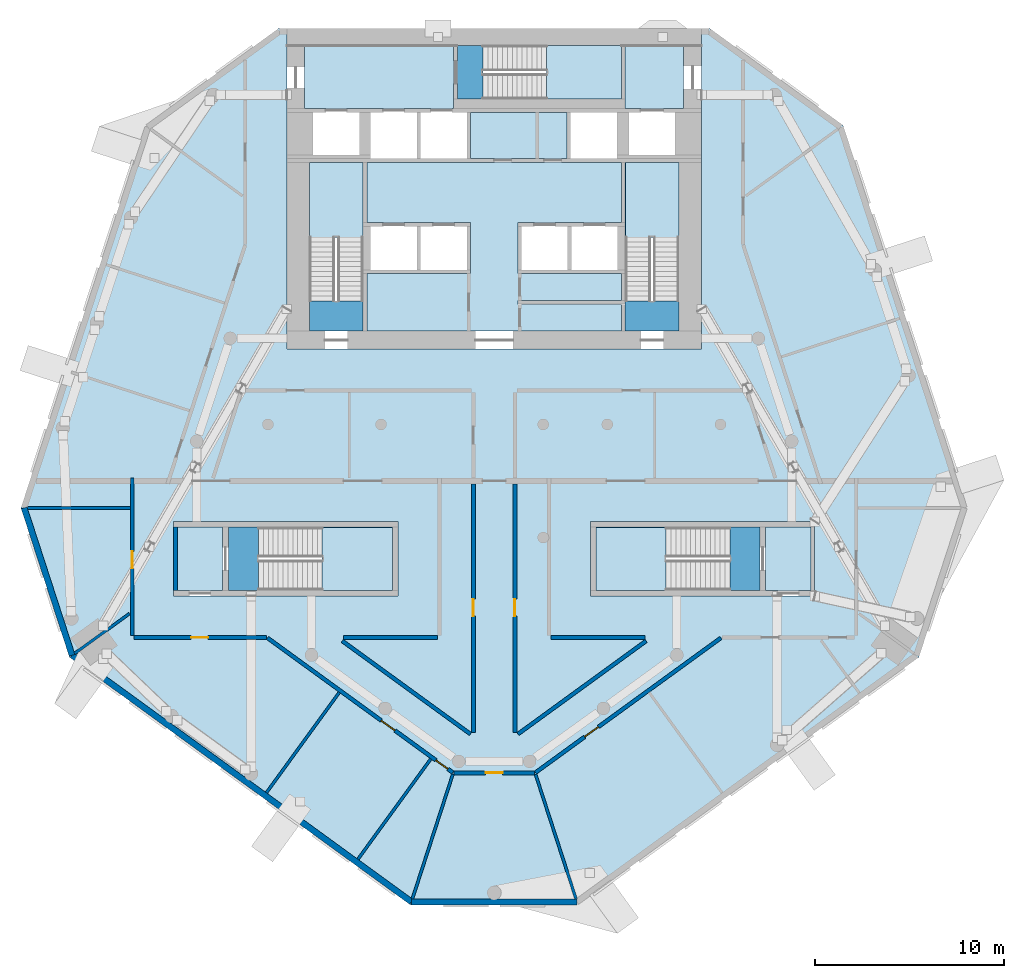
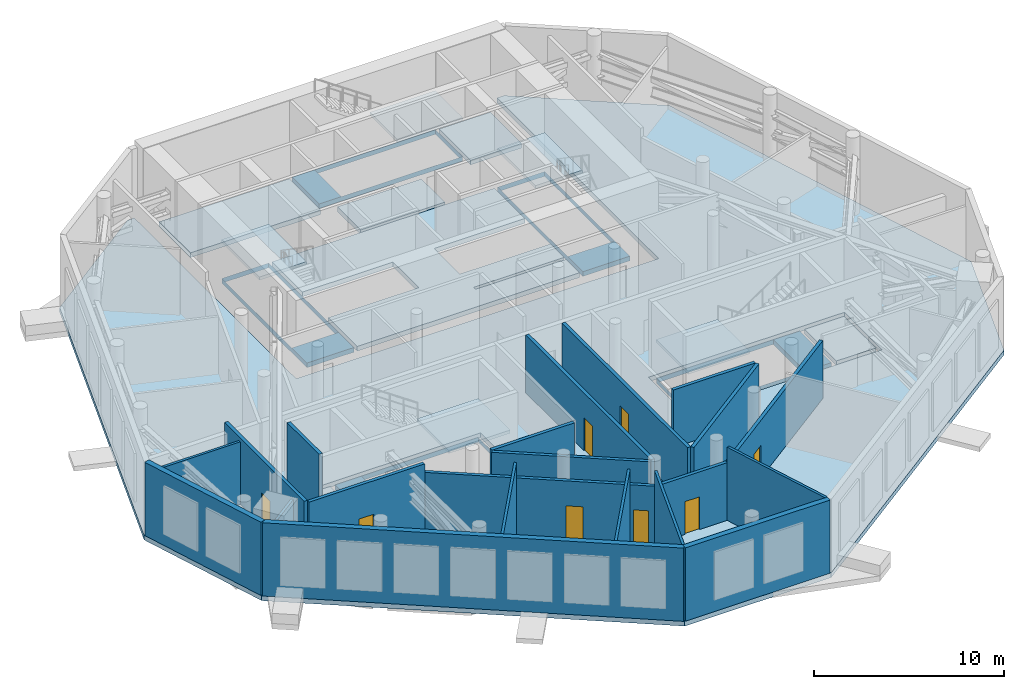
# One storey, part 8 of 17: 21 walls, 17 slabs, 8 doors, 8 openings, 5 elements without a shape of their own.
"""IFC4 building model written with IfcOpenShell, lengths in metres."""

import ifcopenshell
import ifcopenshell.guid

model = None  # the IFC model being written
_history = None  # IfcOwnerHistory: only IFC2X3 demands one
_inside = {}  # id of a spatial element -> (the spatial element, [elements in it])
_under = {}  # id of a project, library or spatial element -> (it, [spatial elements below it])
_declared = {}  # id of a project -> (the project, [libraries it declares])
_typed = {}  # id of a type object -> (the type object, [elements of that type])
_made_of = {}  # id of a material, layer set ... -> (it, [elements and type objects made of it])


def new_model(schema):
    """Start an empty IFC model of exactly this schema.

    Asked for "IFC4X3", IfcOpenShell would pick the latest addendum, in which some entities
    have other attributes; the version numbers below select the first issue.
    IFC2X3 requires an IfcOwnerHistory on every rooted entity: one is made here for all.
    """
    global model, _history
    if schema == "IFC4X3":
        model = ifcopenshell.file(schema_version=(4, 3, 0, 0))
    else:
        model = ifcopenshell.file(schema=schema)
    _inside.clear()
    _under.clear()
    _declared.clear()
    _typed.clear()
    _made_of.clear()
    _history = None
    if model.schema == "IFC2X3":
        org = make("IfcOrganization", Name="unknown")
        user = make(
            "IfcPersonAndOrganization",
            ThePerson=make("IfcPerson", FamilyName="unknown"),
            TheOrganization=org,
        )
        app = make(
            "IfcApplication",
            ApplicationDeveloper=org,
            Version="unknown",
            ApplicationFullName="unknown",
            ApplicationIdentifier="unknown",
        )
        _history = make(
            "IfcOwnerHistory",
            OwningUser=user,
            OwningApplication=app,
            ChangeAction="ADDED",
            CreationDate=0,
        )
    return model


def make(cls, **values):
    """One entity of the class cls with the attributes given. An attribute that is None is left unset."""
    return model.create_entity(
        cls, **{name: value for name, value in values.items() if value is not None}
    )


def rooted(cls, **values):
    """An entity with a GlobalId (a new one), such as an element, a storey or a relation."""
    return make(cls, GlobalId=ifcopenshell.guid.new(), OwnerHistory=_history, **values)


def si_unit(unit_type, name, prefix=None):
    """IfcSIUnit, for example si_unit("LENGTHUNIT", "METRE", prefix="MILLI")."""
    return make("IfcSIUnit", UnitType=unit_type, Prefix=prefix, Name=name)


def assignment(units):
    """IfcUnitAssignment: the units of a project."""
    return None if units is None else make("IfcUnitAssignment", Units=units)


def point(xyz):
    """IfcCartesianPoint."""
    return None if xyz is None else make("IfcCartesianPoint", Coordinates=xyz)


def direction(xyz):
    """IfcDirection."""
    return None if xyz is None else make("IfcDirection", DirectionRatios=xyz)


def frame(location, z_axis=None, x_axis=None):
    """IfcAxis2Placement3D, a coordinate frame: its origin and axes. An axis left out is left unset."""
    return make(
        "IfcAxis2Placement3D",
        Location=point(location),
        Axis=direction(z_axis),
        RefDirection=direction(x_axis),
    )


def frame_2d(location, x_axis=None):
    """IfcAxis2Placement2D, a coordinate frame in the plane: its origin and x axis."""
    return make(
        "IfcAxis2Placement2D", Location=point(location), RefDirection=direction(x_axis)
    )


def origin():
    """The frame at (0, 0, 0) with its axes left unset."""
    return frame((0.0, 0.0, 0.0))


def place(relative_to, where):
    """IfcLocalPlacement: puts the frame where relative to a parent placement (None: the world)."""
    return make(
        "IfcLocalPlacement", PlacementRelTo=relative_to, RelativePlacement=where
    )


def context(
    kind, dimensions, precision=None, world=None, true_north=None, identifier=None
):
    """IfcGeometricRepresentationContext, for example the 3D "Model" context."""
    return make(
        "IfcGeometricRepresentationContext",
        ContextIdentifier=identifier,
        ContextType=kind,
        CoordinateSpaceDimension=dimensions,
        Precision=precision,
        WorldCoordinateSystem=world,
        TrueNorth=true_north,
    )


def subcontext(parent, identifier, kind, view, scale=None):
    """IfcGeometricRepresentationSubContext, for example "Body" below "Model"."""
    return make(
        "IfcGeometricRepresentationSubContext",
        ContextIdentifier=identifier,
        ContextType=kind,
        ParentContext=parent,
        TargetScale=scale,
        TargetView=view,
    )


def project(units=None, contexts=None):
    """IfcProject with its units and contexts."""
    return rooted(
        "IfcProject",
        Name="project",
        RepresentationContexts=contexts,
        UnitsInContext=assignment(units),
    )


def spatial(cls, under=None, at=None, **own):
    """A site, building, storey or space (cls), placed at a placement, below another one or the project."""
    s = rooted(cls, ObjectPlacement=at, **own)
    if under is not None:
        _under.setdefault(under.id(), (under, []))[1].append(s)
    return s


def polyline(points):
    """IfcPolyline through the points."""
    return make("IfcPolyline", Points=[point(p) for p in points])


def profile(cls, at=None, kind="AREA", **sizes):
    """A parametric profile (cls). Its sizes go by their IFC names, for example OverallWidth=200.0."""
    return make(cls, ProfileType=kind, Position=at, **sizes)


def rectangle(**sizes):
    """IfcRectangleProfileDef."""
    return profile("IfcRectangleProfileDef", **sizes)


def outline(outer, holes=None, kind="AREA"):
    """IfcArbitraryClosedProfileDef: a profile drawn as a closed curve; with holes, ...WithVoids."""
    if holes is None:
        return make("IfcArbitraryClosedProfileDef", ProfileType=kind, OuterCurve=outer)
    return make(
        "IfcArbitraryProfileDefWithVoids",
        ProfileType=kind,
        OuterCurve=outer,
        InnerCurves=holes,
    )


def extrude(swept, where, along, depth):
    """IfcExtrudedAreaSolid: the profile swept, set in the frame where, extruded along a direction by depth."""
    return make(
        "IfcExtrudedAreaSolid",
        SweptArea=swept,
        Position=where,
        ExtrudedDirection=direction(along),
        Depth=depth,
    )


def shape(context_of_items, identifier, shape_type, items):
    """IfcShapeRepresentation: the items that make up one representation, for example the "Body"."""
    return make(
        "IfcShapeRepresentation",
        ContextOfItems=context_of_items,
        RepresentationIdentifier=identifier,
        RepresentationType=shape_type,
        Items=items,
    )


def material(Name=None, Category=None):
    """IfcMaterial."""
    return make("IfcMaterial", Name=Name, Category=Category)


def layer(
    of_material, thickness, ventilated=None, Name=None, Category=None, Priority=None
):
    """IfcMaterialLayer: one layer of a wall or slab, of a material (None: an air gap)."""
    return make(
        "IfcMaterialLayer",
        Material=of_material,
        LayerThickness=thickness,
        IsVentilated=ventilated,
        Name=Name,
        Category=Category,
        Priority=Priority,
    )


def layer_set(layers, Name=None):
    """IfcMaterialLayerSet."""
    return make("IfcMaterialLayerSet", MaterialLayers=layers, LayerSetName=Name)


def made_of(thing, what):
    """Note that an element or type object is made of a material, layer set ...; save() writes the relation."""
    if what is not None:
        _made_of.setdefault(what.id(), (what, []))[1].append(thing)
    return thing


def type_object(cls, material=None, **own):
    """A type object (cls), such as IfcWallType, which elements share."""
    return made_of(rooted(cls, **own), material)


def element(
    cls,
    number,
    at=None,
    inside=None,
    cuts=None,
    type_object=None,
    material=None,
    context=None,
    identifier="Body",
    shape_type=None,
    held_by="IfcProductDefinitionShape",
    body=None,
    shapes=None,
    **own,
):
    """One element of the class cls, such as IfcWall. Its Tag is "e" and its number.

    at: its placement. inside: the storey or other place that contains it. cuts: it is an
    opening in that element (IfcRelVoidsElement). A single representation is given by context,
    identifier, shape_type and body (its items); several are given by shapes. held_by: the class
    of the entity that holds the representations. save() writes the other relations.
    """
    e = rooted(cls, Tag="e%d" % number, ObjectPlacement=at, **own)
    if body is not None:
        shapes = [shape(context, identifier, shape_type, body)]
    if shapes is not None:
        e.Representation = make(held_by, Representations=shapes)
    if inside is not None:
        _inside.setdefault(inside.id(), (inside, []))[1].append(e)
    if cuts is not None:
        rooted(
            "IfcRelVoidsElement", RelatingBuildingElement=cuts, RelatedOpeningElement=e
        )
    if type_object is not None:
        _typed.setdefault(type_object.id(), (type_object, []))[1].append(e)
    return made_of(e, material)


def fill(opening, filler):
    """IfcRelFillsElement: the door or window that sits in an opening."""
    return rooted(
        "IfcRelFillsElement",
        RelatingOpeningElement=opening,
        RelatedBuildingElement=filler,
    )


def aggregate(whole, parts):
    """IfcRelAggregates: a whole, such as a stair, and the parts it consists of."""
    return rooted("IfcRelAggregates", RelatingObject=whole, RelatedObjects=parts)


def save(model, path):
    """Write the relations noted so far, then the file.

    IfcRelAggregates (storeys below a building ...), IfcRelContainedInSpatialStructure (elements
    in a storey), IfcRelDefinesByType, IfcRelAssociatesMaterial and IfcRelDeclares: one each for
    every whole, place, type object, material and project.
    """
    for whole, parts in _under.values():
        aggregate(whole, parts)
    for where, things in _inside.values():
        rooted(
            "IfcRelContainedInSpatialStructure",
            RelatedElements=things,
            RelatingStructure=where,
        )
    for kind, things in _typed.values():
        rooted("IfcRelDefinesByType", RelatedObjects=things, RelatingType=kind)
    for what, things in _made_of.values():
        rooted("IfcRelAssociatesMaterial", RelatedObjects=things, RelatingMaterial=what)
    for by, libraries in _declared.values():
        rooted("IfcRelDeclares", RelatingContext=by, RelatedDefinitions=libraries)
    model.write(path)


model = new_model("IFC4")

# Units and contexts
model_context = context("Model", 3, precision=1e-05, world=origin(), true_north=direction((0.0, 1.0)))
body_context = subcontext(model_context, "Body", "Model", "MODEL_VIEW")
ifc_project = project(units=[si_unit("LENGTHUNIT", "METRE"), si_unit("AREAUNIT", "SQUARE_METRE"), si_unit("VOLUMEUNIT", "CUBIC_METRE"), si_unit("PLANEANGLEUNIT", "RADIAN"), si_unit("MASSUNIT", "GRAM", prefix="KILO")], contexts=[model_context])

# Site, building, storey
site_placement = place(None, origin())
site = spatial("IfcSite", under=ifc_project, at=site_placement, CompositionType="ELEMENT")
building_placement = place(site_placement, origin())
building = spatial("IfcBuilding", under=site, at=building_placement, Name="White Candle Pilgrim Tower", CompositionType="ELEMENT")
storey_placement = place(building_placement, frame((0.0, 0.0, 191.5)))
storey = spatial("IfcBuildingStorey", under=building, at=storey_placement, Name="L44", CompositionType="ELEMENT", Elevation=191.5)

# Slabs
ifc_material_1 = material(Name="Concrete C40/50", Category="concrete")
ifc_layer_1 = layer(ifc_material_1, 0.300048828125)
ifc_layer_set_1 = layer_set([ifc_layer_1], Name="Core floor slab 300 mm Concrete C40/50")
slab_type_1 = type_object("IfcSlabType", Name="Core floor slab 300 mm Concrete C40/50", PredefinedType="FLOOR", material=ifc_layer_set_1)
slab_1_placement = place(storey_placement, frame((0.0, 0.0, -0.300048828125)))
element("IfcSlab", 1, at=slab_1_placement, inside=storey, type_object=slab_type_1, Name="CF-L44-01", PredefinedType="FLOOR", context=body_context, shape_type="SweptSolid", body=[
    extrude(outline(polyline([(55.60009765625, 58.199951171875), (53.199951171875, 58.199951171875), (53.199951171875, 61.550048828125), (55.60009765625, 61.550048828125), (55.60009765625, 58.199951171875)])), origin(), (0.0, 0.0, 1.0), 0.300048828125),
])
slab_2_placement = place(storey_placement, frame((0.0, 0.0, -0.300048828125)))
element("IfcSlab", 2, at=slab_2_placement, inside=storey, type_object=slab_type_1, Name="CF-L44-02", PredefinedType="FLOOR", context=body_context, shape_type="SweptSolid", body=[
    extrude(outline(polyline([(55.89990234375, 58.199951171875), (55.89990234375, 61.550048828125), (64.60009765625, 61.550048828125), (64.60009765625, 58.199951171875), (55.89990234375, 58.199951171875)]), holes=[polyline([(57.501953125, 61.548095703125), (57.501953125, 58.201904296875), (64.597900390625, 58.201904296875), (64.597900390625, 61.548095703125), (57.501953125, 61.548095703125)])]), origin(), (0.0, 0.0, 1.0), 0.300048828125),
])
slab_3_placement = place(storey_placement, frame((0.0, 0.0, -0.300048828125)))
element("IfcSlab", 3, at=slab_3_placement, inside=storey, type_object=slab_type_1, Name="CF-L44-03", PredefinedType="FLOOR", context=body_context, shape_type="SweptSolid", body=[
    extrude(outline(polyline([(75.39990234375, 58.199951171875), (75.39990234375, 61.550048828125), (84.10009765625, 61.550048828125), (84.10009765625, 58.199951171875), (75.39990234375, 58.199951171875)]), holes=[polyline([(82.498046875, 58.201904296875), (82.498046875, 61.548095703125), (75.402099609375, 61.548095703125), (75.402099609375, 58.201904296875), (82.498046875, 58.201904296875)])]), origin(), (0.0, 0.0, 1.0), 0.300048828125),
])
slab_4_placement = place(storey_placement, frame((0.0, 0.0, -0.300048828125)))
element("IfcSlab", 4, at=slab_4_placement, inside=storey, type_object=slab_type_1, Name="CF-L44-04", PredefinedType="FLOOR", context=body_context, shape_type="SweptSolid", body=[
    extrude(outline(polyline([(86.800048828125, 58.199951171875), (84.39990234375, 58.199951171875), (84.39990234375, 61.550048828125), (86.800048828125, 61.550048828125), (86.800048828125, 58.199951171875)])), origin(), (0.0, 0.0, 1.0), 0.300048828125),
])
slab_5_placement = place(storey_placement, frame((0.0, 0.0, -0.300048828125)))
element("IfcSlab", 5, at=slab_5_placement, inside=storey, type_object=slab_type_1, Name="CF-L44-05", PredefinedType="FLOOR", context=body_context, shape_type="SweptSolid", body=[
    extrude(outline(polyline([(76.75, 87.10009765625), (76.75, 87.050048828125), (76.75, 84.25), (68.050048828125, 84.25), (68.050048828125, 87.050048828125), (68.050048828125, 87.10009765625), (76.75, 87.10009765625)]), holes=[polyline([(69.402099609375, 87.097900390625), (69.402099609375, 84.251953125), (76.748046875, 84.251953125), (76.748046875, 87.097900390625), (69.402099609375, 87.097900390625)])]), origin(), (0.0, 0.0, 1.0), 0.300048828125),
])
slab_6_placement = place(storey_placement, frame((0.0, 0.0, -0.300048828125)))
element("IfcSlab", 6, at=slab_6_placement, inside=storey, type_object=slab_type_1, Name="CF-L44-06", PredefinedType="FLOOR", context=body_context, shape_type="SweptSolid", body=[
    extrude(outline(polyline([(80.050048828125, 87.050048828125), (80.050048828125, 83.75), (76.949951171875, 83.75), (76.949951171875, 84.25), (76.949951171875, 87.050048828125), (80.050048828125, 87.050048828125)])), origin(), (0.0, 0.0, 1.0), 0.300048828125),
])
slab_7_placement = place(storey_placement, frame((0.0, 0.0, -0.300048828125)))
element("IfcSlab", 7, at=slab_7_placement, inside=storey, type_object=slab_type_1, Name="CF-L44-07", PredefinedType="FLOOR", context=body_context, shape_type="SweptSolid", body=[
    extrude(outline(polyline([(76.949951171875, 71.949951171875), (76.949951171875, 73.375), (76.949951171875, 73.574951171875), (76.949951171875, 75.0), (76.949951171875, 75.199951171875), (76.949951171875, 77.5), (76.949951171875, 77.699951171875), (76.949951171875, 80.89990234375), (79.800048828125, 80.89990234375), (79.800048828125, 71.949951171875), (76.949951171875, 71.949951171875)]), holes=[polyline([(76.951904296875, 73.552001953125), (79.798095703125, 73.552001953125), (79.798095703125, 80.89794921875), (76.951904296875, 80.89794921875), (76.951904296875, 73.552001953125)])]), origin(), (0.0, 0.0, 1.0), 0.300048828125),
])
slab_8_placement = place(storey_placement, frame((0.0, 0.0, -0.300048828125)))
element("IfcSlab", 8, at=slab_8_placement, inside=storey, type_object=slab_type_1, Name="CF-L44-08", PredefinedType="FLOOR", context=body_context, shape_type="SweptSolid", body=[
    extrude(outline(polyline([(63.25, 71.949951171875), (63.25, 75.0), (68.75, 75.0), (68.75, 75.199951171875), (68.75, 77.5), (68.75, 77.699951171875), (63.25, 77.699951171875), (63.25, 80.89990234375), (76.75, 80.89990234375), (76.75, 77.699951171875), (71.25, 77.699951171875), (71.25, 77.5), (71.25, 75.199951171875), (71.25, 75.0), (76.75, 75.0), (76.75, 73.574951171875), (71.25, 73.574951171875), (71.25, 73.375), (76.75, 73.375), (76.75, 71.949951171875), (63.25, 71.949951171875)])), origin(), (0.0, 0.0, 1.0), 0.300048828125),
])
slab_9_placement = place(storey_placement, frame((0.0, 0.0, -0.300048828125)))
element("IfcSlab", 9, at=slab_9_placement, inside=storey, type_object=slab_type_1, Name="CF-L44-09", PredefinedType="FLOOR", context=body_context, shape_type="SweptSolid", body=[
    extrude(outline(polyline([(60.199951171875, 71.949951171875), (60.199951171875, 80.89990234375), (63.050048828125, 80.89990234375), (63.050048828125, 77.699951171875), (63.050048828125, 77.5), (63.050048828125, 75.199951171875), (63.050048828125, 75.0), (63.050048828125, 71.949951171875), (60.199951171875, 71.949951171875)]), holes=[polyline([(60.201904296875, 73.552001953125), (63.048095703125, 73.552001953125), (63.048095703125, 80.89794921875), (60.201904296875, 80.89794921875), (60.201904296875, 73.552001953125)])]), origin(), (0.0, 0.0, 1.0), 0.300048828125),
])
slab_10_placement = place(storey_placement, frame((0.0, 0.0, -0.300048828125)))
element("IfcSlab", 10, at=slab_10_placement, inside=storey, type_object=slab_type_1, Name="CF-L44-10", PredefinedType="FLOOR", context=body_context, shape_type="SweptSolid", body=[
    extrude(outline(polyline([(59.949951171875, 87.050048828125), (67.85009765625, 87.050048828125), (67.85009765625, 84.25), (67.85009765625, 83.75), (59.949951171875, 83.75), (59.949951171875, 87.050048828125)])), origin(), (0.0, 0.0, 1.0), 0.300048828125),
])
slab_11_placement = place(storey_placement, frame((0.0, 0.0, -0.300048828125)))
element("IfcSlab", 11, at=slab_11_placement, inside=storey, type_object=slab_type_1, Name="CF-L44-11", PredefinedType="FLOOR", context=body_context, shape_type="SweptSolid", body=[
    extrude(outline(polyline([(73.85009765625, 83.550048828125), (73.85009765625, 81.10009765625), (68.75, 81.10009765625), (68.75, 83.550048828125), (73.85009765625, 83.550048828125)])), origin(), (0.0, 0.0, 1.0), 0.300048828125),
])
ifc_layer_2 = layer(ifc_material_1, 0.300048828125)
ifc_layer_set_2 = layer_set([ifc_layer_2], Name="Floor slab 300 REI 240")
slab_type_2 = type_object("IfcSlabType", Name="Floor slab 300 REI 240", PredefinedType="FLOOR", material=ifc_layer_set_2)
slab_12_placement = place(storey_placement, frame((0.0, 0.0, -0.300048828125)))
element("IfcSlab", 12, at=slab_12_placement, inside=storey, type_object=slab_type_2, Name="L44 floor slab", PredefinedType="FLOOR", context=body_context, shape_type="SweptSolid", body=[
    extrude(outline(polyline([(65.556884765625, 41.52099609375), (74.443115234375, 41.52099609375), (92.5244140625, 54.657958984375), (95.096923828125, 62.57470703125), (88.50390625, 82.865478515625), (81.43701171875, 88.0), (81.0, 88.0), (81.0, 71.0), (59.0, 71.0), (59.0, 88.0), (58.56298828125, 88.0), (51.49609375, 82.865478515625), (44.903076171875, 62.57470703125), (47.4755859375, 54.657958984375), (65.556884765625, 41.52099609375)]), holes=[polyline([(53.0, 57.89990234375), (53.0, 61.85009765625), (64.89990234375, 61.85009765625), (64.89990234375, 57.89990234375), (53.0, 57.89990234375)]), polyline([(75.10009765625, 57.89990234375), (75.10009765625, 61.85009765625), (87.0, 61.85009765625), (87.0, 57.89990234375), (75.10009765625, 57.89990234375)])]), origin(), (0.0, 0.0, 1.0), 0.300048828125),
])

# Stair, slab
stair_type_1 = type_object("IfcStairType", Name="Exit stair 1 flight width 1350 mm", PredefinedType="HALF_TURN_STAIR", material=ifc_material_1)
stair_1_placement = place(storey_placement, origin())
stair_1 = element("IfcStair", 13, at=stair_1_placement, inside=storey, type_object=stair_type_1, Name="L44 stair 1", PredefinedType="NOTDEFINED")
ifc_layer_3 = layer(ifc_material_1, 0.199951171875)
ifc_layer_set_3 = layer_set([ifc_layer_3], Name="Stair landing Concrete C40/50")
slab_type_3 = type_object("IfcSlabType", Name="Stair landing Concrete C40/50", PredefinedType="LANDING", material=ifc_layer_set_3)
slab_13_placement = place(storey_placement, frame((0.0, 0.0, 2.300048828125)))
slab_13 = element("IfcSlab", 14, at=slab_13_placement, type_object=slab_type_3, Name="ST1 landing 1", PredefinedType="LANDING", context=body_context, shape_type="SweptSolid", body=[
    extrude(outline(polyline([(63.052001953125, 76.927978515625), (60.197998046875, 76.927978515625), (60.197998046875, 80.902099609375), (63.052001953125, 80.902099609375), (63.052001953125, 76.927978515625)])), origin(), (0.0, 0.0, 1.0), 0.199951171875),
])
aggregate(stair_1, [slab_13])

stair_type_2 = type_object("IfcStairType", Name="Exit stair 2 flight width 1350 mm", PredefinedType="HALF_TURN_STAIR", material=ifc_material_1)
stair_2_placement = place(storey_placement, origin())
stair_2 = element("IfcStair", 15, at=stair_2_placement, inside=storey, type_object=stair_type_2, Name="L44 stair 2", PredefinedType="NOTDEFINED")
slab_14_placement = place(storey_placement, frame((0.0, 0.0, 2.300048828125)))
slab_14 = element("IfcSlab", 16, at=slab_14_placement, type_object=slab_type_3, Name="ST2 landing 1", PredefinedType="LANDING", context=body_context, shape_type="SweptSolid", body=[
    extrude(outline(polyline([(79.802001953125, 76.927978515625), (76.947998046875, 76.927978515625), (76.947998046875, 80.902099609375), (79.802001953125, 80.902099609375), (79.802001953125, 76.927978515625)])), origin(), (0.0, 0.0, 1.0), 0.199951171875),
])
aggregate(stair_2, [slab_14])

stair_type_3 = type_object("IfcStairType", Name="Exit stair 3 flight width 1350 mm", PredefinedType="HALF_TURN_STAIR", material=ifc_material_1)
stair_3_placement = place(storey_placement, origin())
stair_3 = element("IfcStair", 17, at=stair_3_placement, inside=storey, type_object=stair_type_3, Name="L44 stair 3", PredefinedType="NOTDEFINED")
slab_15_placement = place(storey_placement, frame((0.0, 0.0, 2.300048828125)))
slab_15 = element("IfcSlab", 18, at=slab_15_placement, type_object=slab_type_3, Name="ST3 landing 1", PredefinedType="LANDING", context=body_context, shape_type="SweptSolid", body=[
    extrude(outline(polyline([(72.778076171875, 84.248046875), (72.778076171875, 87.10205078125), (76.751953125, 87.10205078125), (76.751953125, 84.248046875), (72.778076171875, 84.248046875)])), origin(), (0.0, 0.0, 1.0), 0.199951171875),
])
aggregate(stair_3, [slab_15])

stair_type_4 = type_object("IfcStairType", Name="Exit stair 4 flight width 1600 mm", PredefinedType="HALF_TURN_STAIR", material=ifc_material_1)
stair_4_placement = place(storey_placement, origin())
stair_4 = element("IfcStair", 19, at=stair_4_placement, inside=storey, type_object=stair_type_4, Name="L44 stair 4", PredefinedType="NOTDEFINED")
slab_16_placement = place(storey_placement, frame((0.0, 0.0, 2.300048828125)))
slab_16 = element("IfcSlab", 20, at=slab_16_placement, type_object=slab_type_3, Name="ST4 landing 1", PredefinedType="LANDING", context=body_context, shape_type="SweptSolid", body=[
    extrude(outline(polyline([(79.1220703125, 61.552001953125), (79.1220703125, 58.197998046875), (75.39794921875, 58.197998046875), (75.39794921875, 61.552001953125), (79.1220703125, 61.552001953125)])), origin(), (0.0, 0.0, 1.0), 0.199951171875),
])
aggregate(stair_4, [slab_16])

stair_type_5 = type_object("IfcStairType", Name="Exit stair 5 flight width 1600 mm", PredefinedType="HALF_TURN_STAIR", material=ifc_material_1)
stair_5_placement = place(storey_placement, origin())
stair_5 = element("IfcStair", 21, at=stair_5_placement, inside=storey, type_object=stair_type_5, Name="L44 stair 5", PredefinedType="NOTDEFINED")
slab_17_placement = place(storey_placement, frame((0.0, 0.0, 2.300048828125)))
slab_17 = element("IfcSlab", 22, at=slab_17_placement, type_object=slab_type_3, Name="ST5 landing 1", PredefinedType="LANDING", context=body_context, shape_type="SweptSolid", body=[
    extrude(outline(polyline([(60.8779296875, 58.197998046875), (60.8779296875, 61.552001953125), (64.60205078125, 61.552001953125), (64.60205078125, 58.197998046875), (60.8779296875, 58.197998046875)])), origin(), (0.0, 0.0, 1.0), 0.199951171875),
])
aggregate(stair_5, [slab_17])

# Wall
ifc_material_2 = material(Name="Concrete C60/75", Category="concrete")
ifc_layer_4 = layer(ifc_material_2, 0.199951171875)
ifc_layer_set_4 = layer_set([ifc_layer_4], Name="Core wall 200 mm Concrete C60/75")
wall_type_1 = type_object("IfcWallType", Name="Core wall 200 mm Concrete C60/75", PredefinedType="SHEAR", material=ifc_layer_set_4)
wall_1_placement = place(storey_placement, frame((53.10009765625, 58.199951171875, 0.0), z_axis=(0.0, 0.0, 1.0), x_axis=(0.0, 1.0, 0.0)))
element("IfcWall", 23, at=wall_1_placement, inside=storey, type_object=wall_type_1, Name="WL-L44-C03", PredefinedType="SHEAR", context=body_context, shape_type="SweptSolid", body=[
    extrude(rectangle(XDim=3.35009765625, YDim=0.199951171875, at=frame_2d((1.675048828125, 0.0))), origin(), (0.0, 0.0, 1.0), 5.0),
])

# Wall, opening, door
ifc_material_3 = material(Name="Gypsum board on steel studs", Category="steel")
ifc_layer_5 = layer(ifc_material_3, 0.199951171875)
ifc_layer_set_5 = layer_set([ifc_layer_5], Name="Corridor wall 200 mm EI 45")
wall_type_2 = type_object("IfcWallType", Name="Corridor wall 200 mm EI 45", PredefinedType="PARTITIONING", material=ifc_layer_set_5)
wall_2_placement = place(storey_placement, frame((82.0234375, 55.680908203125, 0.0), z_axis=(0.0, 0.0, 1.0), x_axis=(-0.809021032416, -0.587779694366, 0.0)))
wall_2 = element("IfcWall", 24, at=wall_2_placement, inside=storey, type_object=wall_type_2, Name="WL-L44-P008", PredefinedType="PARTITIONING", context=body_context, shape_type="SweptSolid", body=[
    extrude(rectangle(XDim=12.1484375, YDim=0.199951171875, at=frame_2d((6.07421875, 0.0))), origin(), (0.0, 0.0, 1.0), 3.699951171875),
])
opening_1_placement = place(wall_2_placement, frame((8.031005859375, 0.0, 0.0)))
opening_1 = element("IfcOpeningElement", 25, at=opening_1_placement, cuts=wall_2, Name="Opening L44-106", PredefinedType="OPENING", context=body_context, shape_type="SweptSolid", body=[
    extrude(rectangle(XDim=0.89990234375, YDim=2.10009765625, at=frame_2d((0.449951171875, 1.050048828125))), frame((0.0, 0.10986328125, 0.0), z_axis=(0.0, -1.0, 0.0), x_axis=(1.0, 0.0, 0.0)), (0.0, 0.0, 1.0), 0.219970703125),
])
ifc_material_4 = material(Name="Steel door leaf", Category="steel")
door_type_1 = type_object("IfcDoorType", Name="Fire door 900 x 2100 EI 30", OperationType="NOTDEFINED", PredefinedType="DOOR", material=ifc_material_4)
door_1_placement = place(opening_1_placement, origin())
door_1 = element("IfcDoor", 26, at=door_1_placement, inside=storey, type_object=door_type_1, Name="Door L44-106", OperationType="SINGLE_SWING_RIGHT", OverallHeight=2.10009765625, OverallWidth=0.89990234375, PredefinedType="DOOR", context=body_context, shape_type="SweptSolid", body=[
    extrude(rectangle(XDim=0.89990234375, YDim=2.10009765625, at=frame_2d((0.449951171875, 1.050048828125))), frame((0.0, 0.02490234375, 0.0), z_axis=(0.0, -1.0, 0.0), x_axis=(1.0, 0.0, 0.0)), (0.0, 0.0, 1.0), 0.050048828125),
])
fill(opening_1, door_1)

wall_3_placement = place(storey_placement, frame((72.13623046875, 48.52099609375, 0.0), z_axis=(0.0, 0.0, 1.0), x_axis=(-1.0, 0.0, 0.0)))
wall_3 = element("IfcWall", 27, at=wall_3_placement, inside=storey, type_object=wall_type_2, Name="WL-L44-P009", PredefinedType="PARTITIONING", context=body_context, shape_type="SweptSolid", body=[
    extrude(rectangle(XDim=4.2724609375, YDim=0.199951171875, at=frame_2d((2.13623046875, 0.0))), origin(), (0.0, 0.0, 1.0), 3.699951171875),
])
opening_2_placement = place(wall_3_placement, frame((1.686279296875, 0.0, 0.0)))
opening_2 = element("IfcOpeningElement", 28, at=opening_2_placement, cuts=wall_3, Name="Opening L44-105", PredefinedType="OPENING", context=body_context, shape_type="SweptSolid", body=[
    extrude(rectangle(XDim=0.89990234375, YDim=2.10009765625, at=frame_2d((0.449951171875, 1.050048828125))), frame((0.0, 0.10986328125, 0.0), z_axis=(0.0, -1.0, 0.0), x_axis=(1.0, 0.0, 0.0)), (0.0, 0.0, 1.0), 0.219970703125),
])
door_2_placement = place(opening_2_placement, origin())
door_2 = element("IfcDoor", 29, at=door_2_placement, inside=storey, type_object=door_type_1, Name="Door L44-105", OperationType="SINGLE_SWING_LEFT", OverallHeight=2.10009765625, OverallWidth=0.89990234375, PredefinedType="DOOR", context=body_context, shape_type="SweptSolid", body=[
    extrude(rectangle(XDim=0.89990234375, YDim=2.10009765625, at=frame_2d((0.449951171875, 1.050048828125))), frame((0.0, 0.02490234375, 0.0), z_axis=(0.0, -1.0, 0.0), x_axis=(1.0, 0.0, 0.0)), (0.0, 0.0, 1.0), 0.050048828125),
])
fill(opening_2, door_2)

# Wall, openings, doors
wall_4_placement = place(storey_placement, frame((67.804931640625, 48.540283203125, 0.0), z_axis=(0.0, 0.0, 1.0), x_axis=(-0.809021032416, 0.587779694366, 0.0)))
wall_4 = element("IfcWall", 30, at=wall_4_placement, inside=storey, type_object=wall_type_2, Name="WL-L44-P010", PredefinedType="PARTITIONING", context=body_context, shape_type="SweptSolid", body=[
    extrude(rectangle(XDim=12.1484375, YDim=0.199951171875, at=frame_2d((6.07421875, 0.0))), origin(), (0.0, 0.0, 1.0), 3.699951171875),
])
opening_3_placement = place(wall_4_placement, frame((3.79296875, 0.0, 0.0)))
opening_3 = element("IfcOpeningElement", 31, at=opening_3_placement, cuts=wall_4, Name="Opening L44-103", PredefinedType="OPENING", context=body_context, shape_type="SweptSolid", body=[
    extrude(rectangle(XDim=0.89990234375, YDim=2.10009765625, at=frame_2d((0.449951171875, 1.050048828125))), frame((0.0, 0.10986328125, 0.0), z_axis=(0.0, -1.0, 0.0), x_axis=(1.0, 0.0, 0.0)), (0.0, 0.0, 1.0), 0.219970703125),
])
opening_4_placement = place(wall_4_placement, frame((0.317626953125, 0.0, 0.0)))
opening_4 = element("IfcOpeningElement", 32, at=opening_4_placement, cuts=wall_4, Name="Opening L44-104", PredefinedType="OPENING", context=body_context, shape_type="SweptSolid", body=[
    extrude(rectangle(XDim=0.800048828125, YDim=2.10009765625, at=frame_2d((0.39990234375, 1.050048828125))), frame((0.0, 0.10986328125, 0.0), z_axis=(0.0, -1.0, 0.0), x_axis=(1.0, 0.0, 0.0)), (0.0, 0.0, 1.0), 0.219970703125),
])
door_type_2 = type_object("IfcDoorType", Name="Fire door 800 x 2100 EI 30", OperationType="NOTDEFINED", PredefinedType="DOOR", material=ifc_material_4)
door_3_placement = place(opening_4_placement, origin())
door_3 = element("IfcDoor", 33, at=door_3_placement, inside=storey, type_object=door_type_2, Name="Door L44-104", OperationType="SINGLE_SWING_RIGHT", OverallHeight=2.10009765625, OverallWidth=0.800048828125, PredefinedType="DOOR", context=body_context, shape_type="SweptSolid", body=[
    extrude(rectangle(XDim=0.800048828125, YDim=2.10009765625, at=frame_2d((0.39990234375, 1.050048828125))), frame((0.0, 0.02490234375, 0.0), z_axis=(0.0, -1.0, 0.0), x_axis=(1.0, 0.0, 0.0)), (0.0, 0.0, 1.0), 0.050048828125),
])
fill(opening_4, door_3)
door_4_placement = place(opening_3_placement, origin())
door_4 = element("IfcDoor", 34, at=door_4_placement, inside=storey, type_object=door_type_1, Name="Door L44-103", OperationType="SINGLE_SWING_LEFT", OverallHeight=2.10009765625, OverallWidth=0.89990234375, PredefinedType="DOOR", context=body_context, shape_type="SweptSolid", body=[
    extrude(rectangle(XDim=0.89990234375, YDim=2.10009765625, at=frame_2d((0.449951171875, 1.050048828125))), frame((0.0, 0.02490234375, 0.0), z_axis=(0.0, -1.0, 0.0), x_axis=(1.0, 0.0, 0.0)), (0.0, 0.0, 1.0), 0.050048828125),
])
fill(opening_3, door_4)

# Wall, opening, door
wall_5_placement = place(storey_placement, frame((57.917724609375, 55.699951171875, 0.0), z_axis=(0.0, 0.0, 1.0), x_axis=(-1.0, 0.0, 0.0)))
wall_5 = element("IfcWall", 35, at=wall_5_placement, inside=storey, type_object=wall_type_2, Name="WL-L44-P011", PredefinedType="PARTITIONING", context=body_context, shape_type="SweptSolid", body=[
    extrude(rectangle(XDim=7.017822265625, YDim=0.199951171875, at=frame_2d((3.5087890625, 0.0))), origin(), (0.0, 0.0, 1.0), 4.25),
])
opening_5_placement = place(wall_5_placement, frame((3.0927734375, 0.0, 0.0)))
opening_5 = element("IfcOpeningElement", 36, at=opening_5_placement, cuts=wall_5, Name="Opening L44-102", PredefinedType="OPENING", context=body_context, shape_type="SweptSolid", body=[
    extrude(rectangle(XDim=0.89990234375, YDim=2.10009765625, at=frame_2d((0.449951171875, 1.050048828125))), frame((0.0, 0.10986328125, 0.0), z_axis=(0.0, -1.0, 0.0), x_axis=(1.0, 0.0, 0.0)), (0.0, 0.0, 1.0), 0.219970703125),
])
door_5_placement = place(opening_5_placement, origin())
door_5 = element("IfcDoor", 37, at=door_5_placement, inside=storey, type_object=door_type_1, Name="Door L44-102", OperationType="SINGLE_SWING_RIGHT", OverallHeight=2.10009765625, OverallWidth=0.89990234375, PredefinedType="DOOR", context=body_context, shape_type="SweptSolid", body=[
    extrude(rectangle(XDim=0.89990234375, YDim=2.10009765625, at=frame_2d((0.449951171875, 1.050048828125))), frame((0.0, 0.02490234375, 0.0), z_axis=(0.0, -1.0, 0.0), x_axis=(1.0, 0.0, 0.0)), (0.0, 0.0, 1.0), 0.050048828125),
])
fill(opening_5, door_5)

wall_6_placement = place(storey_placement, frame((50.800048828125, 55.800048828125, 0.0), z_axis=(0.0, 0.0, 1.0), x_axis=(0.0, 1.0, 0.0)))
wall_6 = element("IfcWall", 38, at=wall_6_placement, inside=storey, type_object=wall_type_2, Name="WL-L44-P012", PredefinedType="PARTITIONING", context=body_context, shape_type="SweptSolid", body=[
    extrude(rectangle(XDim=8.349853515625, YDim=0.199951171875, at=frame_2d((4.1748046875, 0.0))), origin(), (0.0, 0.0, 1.0), 4.25),
])
opening_6_placement = place(wall_6_placement, frame((3.573974609375, 0.0, 0.0)))
opening_6 = element("IfcOpeningElement", 39, at=opening_6_placement, cuts=wall_6, Name="Opening L44-101", PredefinedType="OPENING", context=body_context, shape_type="SweptSolid", body=[
    extrude(rectangle(XDim=0.89990234375, YDim=2.10009765625, at=frame_2d((0.449951171875, 1.050048828125))), frame((0.0, 0.10986328125, 0.0), z_axis=(0.0, -1.0, 0.0), x_axis=(1.0, 0.0, 0.0)), (0.0, 0.0, 1.0), 0.219970703125),
])
door_6_placement = place(opening_6_placement, origin())
door_6 = element("IfcDoor", 40, at=door_6_placement, inside=storey, type_object=door_type_1, Name="Door L44-101", OperationType="SINGLE_SWING_LEFT", OverallHeight=2.10009765625, OverallWidth=0.89990234375, PredefinedType="DOOR", context=body_context, shape_type="SweptSolid", body=[
    extrude(rectangle(XDim=0.89990234375, YDim=2.10009765625, at=frame_2d((0.449951171875, 1.050048828125))), frame((0.0, 0.02490234375, 0.0), z_axis=(0.0, -1.0, 0.0), x_axis=(1.0, 0.0, 0.0)), (0.0, 0.0, 1.0), 0.050048828125),
])
fill(opening_6, door_6)

wall_7_placement = place(storey_placement, frame((71.10009765625, 63.85009765625, 0.0), z_axis=(0.0, 0.0, 1.0), x_axis=(0.0, -1.0, 0.0)))
wall_7 = element("IfcWall", 41, at=wall_7_placement, inside=storey, type_object=wall_type_2, Name="WL-L44-P016", PredefinedType="PARTITIONING", context=body_context, shape_type="SweptSolid", body=[
    extrude(rectangle(XDim=13.18994140625, YDim=0.199951171875, at=frame_2d((6.594970703125, 0.0))), origin(), (0.0, 0.0, 1.0), 3.699951171875),
])
opening_7_placement = place(wall_7_placement, frame((6.114501953125, 0.0, 0.0)))
opening_7 = element("IfcOpeningElement", 42, at=opening_7_placement, cuts=wall_7, Name="Opening L44-116", PredefinedType="OPENING", context=body_context, shape_type="SweptSolid", body=[
    extrude(rectangle(XDim=0.89990234375, YDim=2.10009765625, at=frame_2d((0.449951171875, 1.050048828125))), frame((0.0, 0.10986328125, 0.0), z_axis=(0.0, -1.0, 0.0), x_axis=(1.0, 0.0, 0.0)), (0.0, 0.0, 1.0), 0.219970703125),
])
door_7_placement = place(opening_7_placement, origin())
door_7 = element("IfcDoor", 43, at=door_7_placement, inside=storey, type_object=door_type_1, Name="Door L44-116", OperationType="SINGLE_SWING_RIGHT", OverallHeight=2.10009765625, OverallWidth=0.89990234375, PredefinedType="DOOR", context=body_context, shape_type="SweptSolid", body=[
    extrude(rectangle(XDim=0.89990234375, YDim=2.10009765625, at=frame_2d((0.449951171875, 1.050048828125))), frame((0.0, 0.02490234375, 0.0), z_axis=(0.0, -1.0, 0.0), x_axis=(1.0, 0.0, 0.0)), (0.0, 0.0, 1.0), 0.050048828125),
])
fill(opening_7, door_7)

# Walls
wall_8_placement = place(storey_placement, frame((71.2587890625, 50.579345703125, 0.0), z_axis=(0.0, 0.0, 1.0), x_axis=(0.809023664715, 0.587776071248, 0.0)))
element("IfcWall", 44, at=wall_8_placement, inside=storey, type_object=wall_type_2, Name="WL-L44-P017", PredefinedType="PARTITIONING", context=body_context, shape_type="SweptSolid", body=[
    extrude(rectangle(XDim=8.404052734375, YDim=0.199951171875, at=frame_2d((4.2021484375, 0.0))), origin(), (0.0, 0.0, 1.0), 3.699951171875),
])
wall_9_placement = place(storey_placement, frame((77.9990234375, 55.699951171875, 0.0), z_axis=(0.0, 0.0, 1.0), x_axis=(-1.0, 0.0, 0.0)))
element("IfcWall", 45, at=wall_9_placement, inside=storey, type_object=wall_type_2, Name="WL-L44-P018", PredefinedType="PARTITIONING", context=body_context, shape_type="SweptSolid", body=[
    extrude(rectangle(XDim=4.9990234375, YDim=0.199951171875, at=frame_2d((2.49951171875, 0.0))), origin(), (0.0, 0.0, 1.0), 3.699951171875),
])

# Wall, opening, door
wall_10_placement = place(storey_placement, frame((68.89990234375, 50.66015625, 0.0), z_axis=(0.0, 0.0, 1.0), x_axis=(0.0, 1.0, 0.0)))
wall_10 = element("IfcWall", 46, at=wall_10_placement, inside=storey, type_object=wall_type_2, Name="WL-L44-P020", PredefinedType="PARTITIONING", context=body_context, shape_type="SweptSolid", body=[
    extrude(rectangle(XDim=13.18994140625, YDim=0.199951171875, at=frame_2d((6.594970703125, 0.0))), origin(), (0.0, 0.0, 1.0), 3.699951171875),
])
opening_8_placement = place(wall_10_placement, frame((6.17529296875, 0.0, 0.0)))
opening_8 = element("IfcOpeningElement", 47, at=opening_8_placement, cuts=wall_10, Name="Opening L44-115", PredefinedType="OPENING", context=body_context, shape_type="SweptSolid", body=[
    extrude(rectangle(XDim=0.89990234375, YDim=2.10009765625, at=frame_2d((0.449951171875, 1.050048828125))), frame((0.0, 0.10986328125, 0.0), z_axis=(0.0, -1.0, 0.0), x_axis=(1.0, 0.0, 0.0)), (0.0, 0.0, 1.0), 0.219970703125),
])
door_8_placement = place(opening_8_placement, origin())
door_8 = element("IfcDoor", 48, at=door_8_placement, inside=storey, type_object=door_type_1, Name="Door L44-115", OperationType="SINGLE_SWING_LEFT", OverallHeight=2.10009765625, OverallWidth=0.89990234375, PredefinedType="DOOR", context=body_context, shape_type="SweptSolid", body=[
    extrude(rectangle(XDim=0.89990234375, YDim=2.10009765625, at=frame_2d((0.449951171875, 1.050048828125))), frame((0.0, 0.02490234375, 0.0), z_axis=(0.0, -1.0, 0.0), x_axis=(1.0, 0.0, 0.0)), (0.0, 0.0, 1.0), 0.050048828125),
])
fill(opening_8, door_8)

# Walls
wall_11_placement = place(storey_placement, frame((67.0, 55.699951171875, 0.0), z_axis=(0.0, 0.0, 1.0), x_axis=(-1.0, 0.0, 0.0)))
element("IfcWall", 49, at=wall_11_placement, inside=storey, type_object=wall_type_2, Name="WL-L44-P025", PredefinedType="PARTITIONING", context=body_context, shape_type="SweptSolid", body=[
    extrude(rectangle(XDim=4.9990234375, YDim=0.199951171875, at=frame_2d((2.49951171875, 0.0))), origin(), (0.0, 0.0, 1.0), 3.699951171875),
])
wall_12_placement = place(storey_placement, frame((61.942138671875, 55.51904296875, 0.0), z_axis=(0.0, 0.0, 1.0), x_axis=(0.809023664715, -0.587776071248, 0.0)))
element("IfcWall", 50, at=wall_12_placement, inside=storey, type_object=wall_type_2, Name="WL-L44-P026", PredefinedType="PARTITIONING", context=body_context, shape_type="SweptSolid", body=[
    extrude(rectangle(XDim=8.404052734375, YDim=0.199951171875, at=frame_2d((4.2021484375, 0.0))), origin(), (0.0, 0.0, 1.0), 3.699951171875),
])
ifc_material_5 = material(Name="Precast concrete C40/50", Category="concrete")
ifc_layer_6 = layer(ifc_material_5, 0.320068359375)
ifc_layer_set_6 = layer_set([ifc_layer_6], Name="Facade wall EW2 precast concrete C40/50 plant wall behind louvres")
wall_type_3 = type_object("IfcWallType", Name="Facade wall EW2 precast concrete C40/50 plant wall behind louvres", PredefinedType="SOLIDWALL", material=ifc_layer_set_6)
wall_13_placement = place(storey_placement, frame((45.0712890625, 62.574951171875, 0.0), z_axis=(0.0, 0.0, 1.0), x_axis=(0.30901958848, -0.951055673415, 0.0)))
element("IfcWall", 51, at=wall_13_placement, inside=storey, type_object=wall_type_3, Name="Facade wall L44 W chamfer", PredefinedType="SOLIDWALL", context=body_context, shape_type="SweptSolid", body=[
    extrude(rectangle(XDim=8.220458984375, YDim=0.320068359375, at=frame_2d((4.1103515625, 0.0))), origin(), (0.0, 0.0, 1.0), 4.699951171875),
])
wall_14_placement = place(storey_placement, frame((47.611572265625, 54.7568359375, 0.0), z_axis=(0.0, 0.0, 1.0), x_axis=(0.809015997552, -0.5877866243, 0.0)))
element("IfcWall", 52, at=wall_14_placement, inside=storey, type_object=wall_type_3, Name="Facade wall L44 SW", PredefinedType="SOLIDWALL", context=body_context, shape_type="SweptSolid", body=[
    extrude(rectangle(XDim=22.24560546875, YDim=0.320068359375, at=frame_2d((11.122802734375, 0.0))), origin(), (0.0, 0.0, 1.0), 4.699951171875),
])
wall_15_placement = place(storey_placement, frame((65.608642578125, 41.68115234375, 0.0), z_axis=(0.0, 0.0, 1.0), x_axis=(1.0, 0.0, 0.0)))
element("IfcWall", 53, at=wall_15_placement, inside=storey, type_object=wall_type_3, Name="Facade wall L44 S chamfer", PredefinedType="SOLIDWALL", context=body_context, shape_type="SweptSolid", body=[
    extrude(rectangle(XDim=8.78271484375, YDim=0.320068359375, at=frame_2d((4.391357421875, 0.0))), origin(), (0.0, 0.0, 1.0), 4.699951171875),
])
ifc_layer_7 = layer(ifc_material_3, 0.14990234375)
ifc_layer_set_7 = layer_set([ifc_layer_7], Name="Partition 150 mm EI 60")
wall_type_4 = type_object("IfcWallType", Name="Partition 150 mm EI 60", PredefinedType="PARTITIONING", material=ifc_layer_set_7)
wall_16_placement = place(storey_placement, frame((45.239501953125, 62.57470703125, 0.0), z_axis=(0.0, 0.0, 1.0), x_axis=(1.0, 0.0, 0.0)))
element("IfcWall", 54, at=wall_16_placement, inside=storey, type_object=wall_type_4, Name="WL-L44-P028", PredefinedType="PARTITIONING", context=body_context, shape_type="SweptSolid", body=[
    extrude(rectangle(XDim=5.46044921875, YDim=0.14990234375, at=frame_2d((2.730224609375, 0.0))), origin(), (0.0, 0.0, 1.0), 4.0),
])
wall_17_placement = place(storey_placement, frame((47.747802734375, 54.855712890625, 0.0), z_axis=(0.0, 0.0, 1.0), x_axis=(0.809035551496, 0.587759709759, 0.0)))
element("IfcWall", 55, at=wall_17_placement, inside=storey, type_object=wall_type_4, Name="WL-L44-P029", PredefinedType="PARTITIONING", context=body_context, shape_type="SweptSolid", body=[
    extrude(rectangle(XDim=3.5947265625, YDim=0.14990234375, at=frame_2d((1.79736328125, 0.0))), origin(), (0.0, 0.0, 1.0), 3.699951171875),
])
for number, where, z_axis, x_axis, name in (
    (56, (65.66064453125, 41.841064453125, 0.0), (0.0, 0.0, 1.0), (0.309030380362, 0.95105216682, 0.0), "WL-L44-P030"),
    (57, (74.33935546875, 41.841064453125, 0.0), (0.0, 0.0, 1.0), (-0.309030380362, 0.95105216682, 0.0), "WL-L44-P031"),
):
    element("IfcWall", number, at=place(storey_placement, frame(where, z_axis=z_axis, x_axis=x_axis)), inside=storey, type_object=wall_type_4, Name=name, PredefinedType="PARTITIONING", context=body_context, shape_type="SweptSolid", body=[
        extrude(rectangle(XDim=6.938720703125, YDim=0.14990234375, at=frame_2d((3.46923828125, 0.0))), origin(), (0.0, 0.0, 1.0), 4.699951171875),
    ])
wall_18_placement = place(storey_placement, frame((57.917724609375, 47.466796875, 0.0), z_axis=(0.0, 0.0, 1.0), x_axis=(0.587796586364, 0.809008759569, 0.0)))
element("IfcWall", 58, at=wall_18_placement, inside=storey, type_object=wall_type_4, Name="WL-L44-P037", PredefinedType="PARTITIONING", context=body_context, shape_type="SweptSolid", body=[
    extrude(rectangle(XDim=6.580078125, YDim=0.14990234375, at=frame_2d((3.2900390625, 0.0))), origin(), (0.0, 0.0, 1.0), 4.699951171875),
])
wall_19_placement = place(storey_placement, frame((62.77197265625, 43.93994140625, 0.0), z_axis=(0.0, 0.0, 1.0), x_axis=(0.587772301387, 0.8090264036, 0.0)))
element("IfcWall", 59, at=wall_19_placement, inside=storey, type_object=wall_type_4, Name="WL-L44-P038", PredefinedType="PARTITIONING", context=body_context, shape_type="SweptSolid", body=[
    extrude(rectangle(XDim=6.579833984375, YDim=0.14990234375, at=frame_2d((3.2900390625, 0.0))), origin(), (0.0, 0.0, 1.0), 4.699951171875),
])

save(model, "model.ifc")
